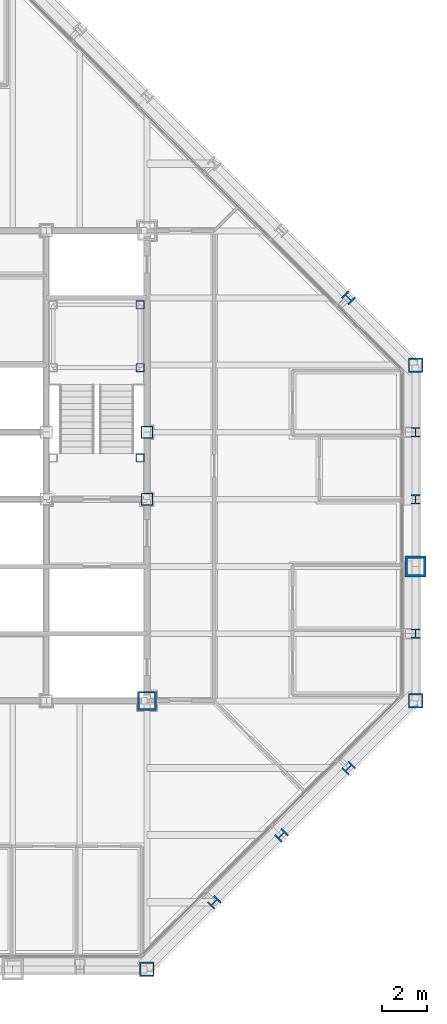
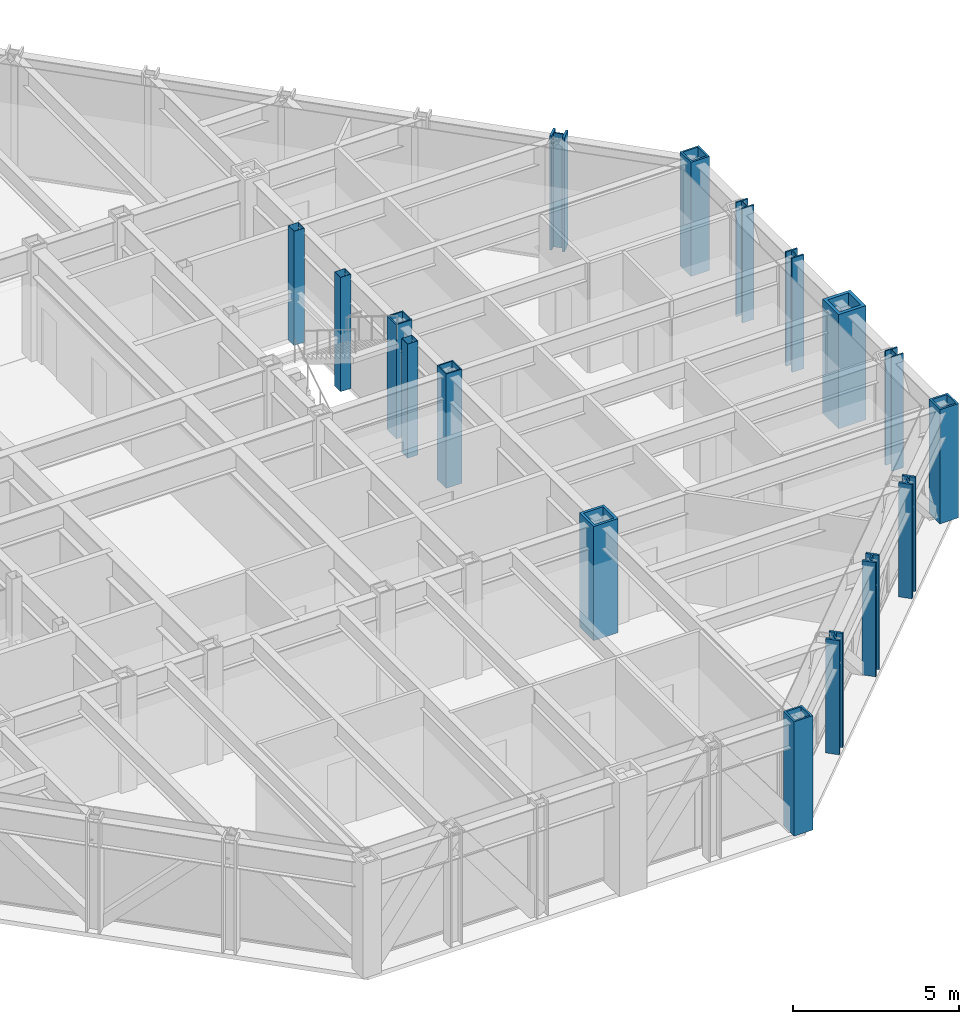
# One storey, part 3 of 16: 17 columns.
"""IFC4 building model written with IfcOpenShell, lengths in metres."""

from ifc_helpers import new_model, si_unit, direction, frame, origin, origin_2d, place, context, subcontext, project, spatial, hollow_rectangle, i_section, extrude, material, material_profile, profile_set, type_object, element, save


model = new_model("IFC4")

# Units and contexts
model_context = context("Model", 3, precision=1e-05, world=origin(), true_north=direction((0.0, 1.0)))
body_context = subcontext(model_context, "Body", "Model", "MODEL_VIEW")
ifc_project = project(units=[si_unit("LENGTHUNIT", "METRE"), si_unit("AREAUNIT", "SQUARE_METRE"), si_unit("VOLUMEUNIT", "CUBIC_METRE"), si_unit("PLANEANGLEUNIT", "RADIAN"), si_unit("MASSUNIT", "GRAM", prefix="KILO")], contexts=[model_context])

# Site, building, storey
site_placement = place(None, origin())
site = spatial("IfcSite", under=ifc_project, at=site_placement, CompositionType="ELEMENT")
building_placement = place(site_placement, origin())
building = spatial("IfcBuilding", under=site, at=building_placement, Name="Chuquiago Exchange Tower", CompositionType="ELEMENT")
storey_placement = place(building_placement, frame((0.0, 0.0, 218.10009765625)))
storey = spatial("IfcBuildingStorey", under=building, at=storey_placement, Name="L48", CompositionType="ELEMENT", Elevation=218.10009765625)

# Columns
ifc_material_1 = material(Name="Steel ASTM A992", Category="steel")
ifc_material_profile_1 = material_profile(ifc_material_1, i_section(OverallWidth=0.408935546875, OverallDepth=0.424072265625, WebThickness=0.03271484375, FlangeThickness=0.052490234375, at=origin_2d()), Name="W14X283")
ifc_profile_set_1 = profile_set([ifc_material_profile_1], Name="Steel ASTM A992")
column_type_1 = type_object("IfcColumnType", Name="C8 W14X283", PredefinedType="COLUMN", material=ifc_profile_set_1)
for number, where, z_axis, x_axis, name in (
    (1, (45.0, 15.0, 0.0), (0.0, 0.0, 1.0), (1.0, 0.0, 0.0), "COL-L48-45_15"),
    (2, (45.0, 21.0, 0.0), (0.0, 0.0, 1.0), (1.0, 0.0, 0.0), "COL-L48-45_21"),
    (3, (45.0, 24.0, 0.0), (0.0, 0.0, 1.0), (1.0, 0.0, 0.0), "COL-L48-45_24"),
):
    element("IfcColumn", number, at=place(storey_placement, frame(where, z_axis=z_axis, x_axis=x_axis)), inside=storey, type_object=column_type_1, Name=name, PredefinedType="COLUMN", context=body_context, shape_type="SweptSolid", body=[
        extrude(i_section(OverallWidth=0.408935546875, OverallDepth=0.424072265625, WebThickness=0.03271484375, FlangeThickness=0.052490234375, at=origin_2d()), origin(), (0.0, 0.0, 1.0), 4.199951171875),
    ])
ifc_material_2 = material(Name="Steel ASTM A572 Grade 50", Category="steel")
ifc_material_profile_2 = material_profile(ifc_material_2, hollow_rectangle(XDim=0.85009765625, YDim=0.85009765625, WallThickness=0.0849609375, at=origin_2d()), Name="BOX850X850X85")
ifc_profile_set_2 = profile_set([ifc_material_profile_2], Name="Steel ASTM A572 Grade 50")
column_type_2 = type_object("IfcColumnType", Name="CC6 BOX850X850X85", PredefinedType="COLUMN", material=ifc_profile_set_2)
column_1_placement = place(storey_placement, frame((33.0, 12.0, 0.0), z_axis=(0.0, 0.0, 1.0), x_axis=(1.0, 0.0, 0.0)))
element("IfcColumn", 4, at=column_1_placement, inside=storey, type_object=column_type_2, Name="CCOL-L48-33_12", PredefinedType="COLUMN", context=body_context, shape_type="SweptSolid", body=[
    extrude(hollow_rectangle(XDim=0.85009765625, YDim=0.85009765625, WallThickness=0.0849609375, at=origin_2d()), origin(), (0.0, 0.0, 1.0), 4.199951171875),
])
ifc_material_3 = material(Name="Steel ASTM A572 Grade 50", Category="steel")
ifc_material_profile_3 = material_profile(ifc_material_3, hollow_rectangle(XDim=0.550048828125, YDim=0.550048828125, WallThickness=0.044921875, at=origin_2d()), Name="BOX550X550X45")
ifc_profile_set_3 = profile_set([ifc_material_profile_3], Name="Steel ASTM A572 Grade 50")
column_type_3 = type_object("IfcColumnType", Name="CC8 BOX550X550X45", PredefinedType="COLUMN", material=ifc_profile_set_3)
for number, where, z_axis, x_axis, name in (
    (5, (33.0, 21.0, 0.0), (0.0, 0.0, 1.0), (1.0, 0.0, 0.0), "CCOL-L48-33_21"),
    (6, (33.0, 24.0, 0.0), (0.0, 0.0, 1.0), (1.0, 0.0, 0.0), "CCOL-L48-33_24"),
):
    element("IfcColumn", number, at=place(storey_placement, frame(where, z_axis=z_axis, x_axis=x_axis)), inside=storey, type_object=column_type_3, Name=name, PredefinedType="COLUMN", context=body_context, shape_type="SweptSolid", body=[
        extrude(hollow_rectangle(XDim=0.550048828125, YDim=0.550048828125, WallThickness=0.044921875, at=origin_2d()), origin(), (0.0, 0.0, 1.0), 4.199951171875),
    ])
ifc_material_4 = material(Name="Steel ASTM A992", Category="steel")
ifc_material_profile_4 = material_profile(ifc_material_4, i_section(OverallWidth=0.421630859375, OverallDepth=0.46484375, WebThickness=0.044921875, FlangeThickness=0.072509765625, at=origin_2d()), Name="W14X398")
ifc_profile_set_4 = profile_set([ifc_material_profile_4], Name="Steel ASTM A992")
column_type_4 = type_object("IfcColumnType", Name="CK7 W14X398", PredefinedType="COLUMN", material=ifc_profile_set_4)
for number, where, z_axis, x_axis, name in (
    (7, (36.0, 3.0, 0.0), (0.0, 0.0, 1.0), (0.707106781187, -0.707106781187, 0.0), "COL-L48-36_3"),
    (8, (39.0, 6.0, 0.0), (0.0, 0.0, 1.0), (0.707106781187, -0.707106781187, 0.0), "COL-L48-39_6"),
    (9, (42.0, 9.0, 0.0), (0.0, 0.0, 1.0), (0.707106781187, -0.707106781187, 0.0), "COL-L48-42_9"),
    (10, (42.0, 30.0, 0.0), (0.0, 0.0, 1.0), (0.707106781187, 0.707106781187, 0.0), "COL-L48-42_30"),
):
    element("IfcColumn", number, at=place(storey_placement, frame(where, z_axis=z_axis, x_axis=x_axis)), inside=storey, type_object=column_type_4, Name=name, PredefinedType="COLUMN", context=body_context, shape_type="SweptSolid", body=[
        extrude(i_section(OverallWidth=0.421630859375, OverallDepth=0.46484375, WebThickness=0.044921875, FlangeThickness=0.072509765625, at=origin_2d()), origin(), (0.0, 0.0, 1.0), 4.199951171875),
    ])
ifc_material_5 = material(Name="Steel ASTM A572 Grade 50", Category="steel")
ifc_material_profile_5 = material_profile(ifc_material_5, hollow_rectangle(XDim=0.64990234375, YDim=0.64990234375, WallThickness=0.06494140625, at=origin_2d()), Name="BOX650X650X65")
ifc_profile_set_5 = profile_set([ifc_material_profile_5], Name="Steel ASTM A572 Grade 50")
column_type_5 = type_object("IfcColumnType", Name="CN2 BOX650X650X65", PredefinedType="COLUMN", material=ifc_profile_set_5)
for number, where, z_axis, x_axis, name in (
    (11, (33.0, 0.0, 0.0), (0.0, 0.0, 1.0), (0.0, -1.0, 0.0), "COL-L48-33_0"),
    (12, (45.0, 12.0, 0.0), (0.0, 0.0, 1.0), (1.0, 0.0, 0.0), "COL-L48-45_12"),
    (13, (45.0, 27.0, 0.0), (0.0, 0.0, 1.0), (1.0, 0.0, 0.0), "COL-L48-45_27"),
):
    element("IfcColumn", number, at=place(storey_placement, frame(where, z_axis=z_axis, x_axis=x_axis)), inside=storey, type_object=column_type_5, Name=name, PredefinedType="COLUMN", context=body_context, shape_type="SweptSolid", body=[
        extrude(hollow_rectangle(XDim=0.64990234375, YDim=0.64990234375, WallThickness=0.06494140625, at=origin_2d()), origin(), (0.0, 0.0, 1.0), 4.199951171875),
    ])
ifc_material_6 = material(Name="Steel ASTM A572 Grade 42", Category="steel")
ifc_material_profile_6 = material_profile(ifc_material_6, hollow_rectangle(XDim=0.949951171875, YDim=0.949951171875, WallThickness=0.110107421875, at=origin_2d()), Name="BOX950X950X110")
ifc_profile_set_6 = profile_set([ifc_material_profile_6], Name="Steel ASTM A572 Grade 42")
column_type_6 = type_object("IfcColumnType", Name="CT1 BOX950X950X110", PredefinedType="COLUMN", material=ifc_profile_set_6)
column_2_placement = place(storey_placement, frame((45.0, 18.0, 0.0), z_axis=(0.0, 0.0, 1.0), x_axis=(1.0, 0.0, 0.0)))
element("IfcColumn", 14, at=column_2_placement, inside=storey, type_object=column_type_6, Name="COL-L48-45_18", PredefinedType="COLUMN", context=body_context, shape_type="SweptSolid", body=[
    extrude(hollow_rectangle(XDim=0.949951171875, YDim=0.949951171875, WallThickness=0.110107421875, at=origin_2d()), origin(), (0.0, 0.0, 1.0), 4.199951171875),
])
ifc_material_7 = material(Name="Steel ASTM A500 Grade C", Category="steel")
ifc_material_profile_7 = material_profile(ifc_material_7, hollow_rectangle(XDim=0.355712890625, YDim=0.355712890625, WallThickness=0.0087890625, at=origin_2d()), Name="HSS14X14X3/8")
ifc_profile_set_7 = profile_set([ifc_material_profile_7], Name="Steel ASTM A500 Grade C")
column_type_7 = type_object("IfcColumnType", Name="PT1 HSS14X14X3/8", PredefinedType="COLUMN", material=ifc_profile_set_7)
for number, where, z_axis, x_axis, name in (
    (15, (32.68994140625, 29.68994140625, 0.0), (0.0, 0.0, 1.0), (1.0, 0.0, 0.0), "Stair ST2 L48 landing post"),
    (16, (32.68994140625, 26.889892578125, 0.0), (0.0, 0.0, 1.0), (1.0, 0.0, 0.0), "Stair ST2 L48 landing post"),
    (17, (32.68994140625, 22.85009765625, 0.0), (0.0, 0.0, 1.0), (1.0, 0.0, 0.0), "Stair ST2 L48 landing post"),
):
    element("IfcColumn", number, at=place(storey_placement, frame(where, z_axis=z_axis, x_axis=x_axis)), inside=storey, type_object=column_type_7, Name=name, PredefinedType="COLUMN", context=body_context, shape_type="SweptSolid", body=[
        extrude(hollow_rectangle(XDim=0.355712890625, YDim=0.355712890625, WallThickness=0.0087890625, at=origin_2d()), origin(), (0.0, 0.0, 1.0), 4.199951171875),
    ])

save(model, "model.ifc")
